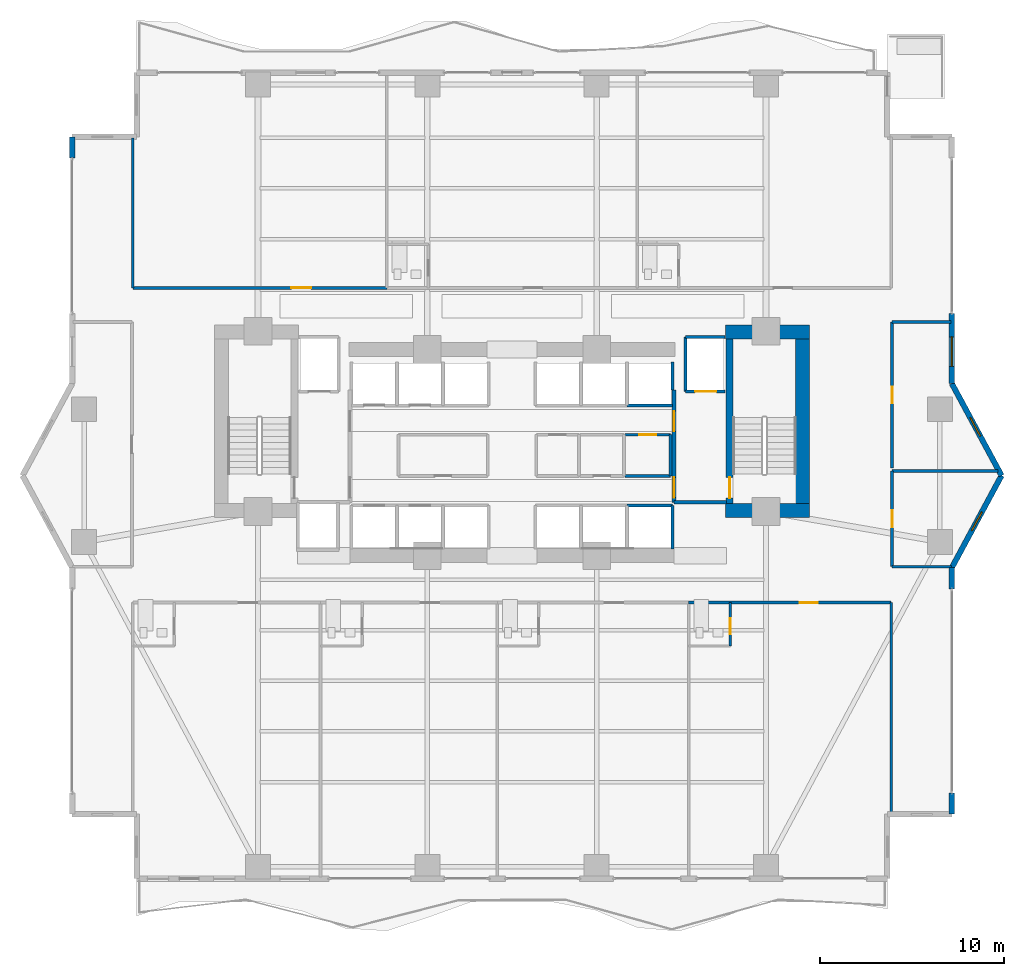
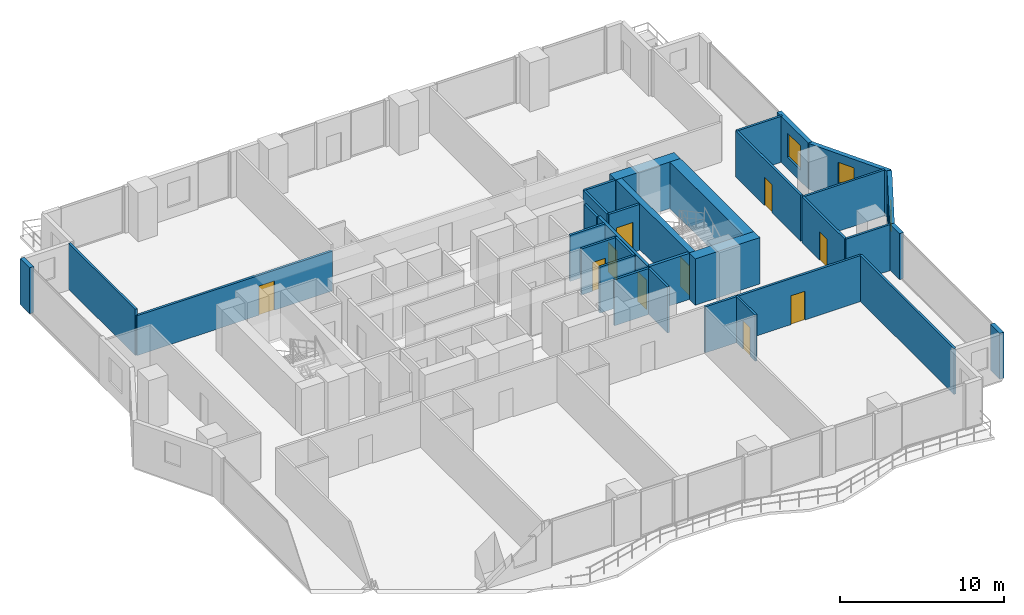
# One storey, part 23 of 28: 32 walls, 10 doors, 3 windows, 13 openings.
"""IFC4 building model written with IfcOpenShell, lengths in metres."""

from ifc_helpers import new_model, si_unit, direction, frame, frame_2d, origin, place, context, subcontext, project, spatial, rectangle, extrude, material, layer, layer_set, type_object, element, fill, save


model = new_model("IFC4")

# Units and contexts
model_context = context("Model", 3, precision=1e-05, world=origin(), true_north=direction((0.0, 1.0)))
body_context = subcontext(model_context, "Body", "Model", "MODEL_VIEW")
ifc_project = project(units=[si_unit("LENGTHUNIT", "METRE"), si_unit("AREAUNIT", "SQUARE_METRE"), si_unit("VOLUMEUNIT", "CUBIC_METRE"), si_unit("PLANEANGLEUNIT", "RADIAN"), si_unit("MASSUNIT", "GRAM", prefix="KILO")], contexts=[model_context])

# Site, building, storey
site_placement = place(None, origin())
site = spatial("IfcSite", under=ifc_project, at=site_placement, CompositionType="ELEMENT")
building_placement = place(site_placement, origin())
building = spatial("IfcBuilding", under=site, at=building_placement, Name="Zuhayl Quay Hotel", CompositionType="ELEMENT")
storey_placement = place(building_placement, frame((0.0, 0.0, 143.10009765625)))
storey = spatial("IfcBuildingStorey", under=building, at=storey_placement, Name="L36", CompositionType="ELEMENT", Elevation=143.10009765625)

# Walls
ifc_material_1 = material(Name="Concrete C60/75", Category="concrete")
ifc_layer_1 = layer(ifc_material_1, 0.75, Name="Concrete C60/75", Category="concrete")
ifc_layer_set_1 = layer_set([ifc_layer_1], Name="Concrete C60/75")
wall_type_1 = type_object("IfcWallType", Name="WL_CORE_750", PredefinedType="SHEAR", material=ifc_layer_set_1)
wall_1_placement = place(storey_placement, frame((11.60009765625, 14.304931640625, 0.0), z_axis=(0.0, 0.0, 1.0), x_axis=(1.0, 0.0, 0.0)))
element("IfcWall", 1, at=wall_1_placement, inside=storey, type_object=wall_type_1, Name="L36 Core Shear Wall CW_NE", PredefinedType="SHEAR", context=body_context, shape_type="SweptSolid", body=[
    extrude(rectangle(XDim=4.559814453125, YDim=0.75, at=frame_2d((2.27978515625, 0.0))), origin(), (0.0, 0.0, 1.0), 3.4599609375),
])
wall_2_placement = place(storey_placement, frame((15.784912109375, 4.969970703125, 0.0), z_axis=(0.0, 0.0, 1.0), x_axis=(0.0, 1.0, 0.0)))
element("IfcWall", 2, at=wall_2_placement, inside=storey, type_object=wall_type_1, Name="L36 Core Shear Wall CW_E", PredefinedType="SHEAR", context=body_context, shape_type="SweptSolid", body=[
    extrude(rectangle(XDim=8.9599609375, YDim=0.75, at=frame_2d((4.47998046875, 0.0))), origin(), (0.0, 0.0, 1.0), 3.4599609375),
])
wall_3_placement = place(storey_placement, frame((11.60009765625, 4.594970703125, 0.0), z_axis=(0.0, 0.0, 1.0), x_axis=(1.0, 0.0, 0.0)))
element("IfcWall", 3, at=wall_3_placement, inside=storey, type_object=wall_type_1, Name="L36 Core Shear Wall CW_SE", PredefinedType="SHEAR", context=body_context, shape_type="SweptSolid", body=[
    extrude(rectangle(XDim=4.559814453125, YDim=0.75, at=frame_2d((2.27978515625, 0.0))), origin(), (0.0, 0.0, 1.0), 3.4599609375),
])
ifc_material_2 = material(Name="Precast concrete C45/55", Category="concrete")
ifc_layer_2 = layer(ifc_material_2, 0.300048828125, Name="Precast concrete C45/55", Category="concrete")
ifc_layer_set_2 = layer_set([ifc_layer_2], Name="Precast concrete C45/55")
wall_type_2 = type_object("IfcWallType", Name="WL_EXT_300", PredefinedType="STANDARD", material=ifc_layer_set_2)
wall_4_placement = place(storey_placement, frame((-23.89990234375, 23.75, 0.0), z_axis=(0.0, 0.0, 1.0), x_axis=(0.0, 1.0, 0.0)))
element("IfcWall", 4, at=wall_4_placement, inside=storey, type_object=wall_type_2, Name="L36 Exterior Precast Wall ENV_L36_E05_EW2", PredefinedType="STANDARD", context=body_context, shape_type="SweptSolid", body=[
    extrude(rectangle(XDim=1.14990234375, YDim=0.300048828125, at=frame_2d((0.574951171875, 0.0))), origin(), (0.0, 0.0, 1.0), 3.429931640625),
])

# Wall, opening, window
wall_5_placement = place(storey_placement, frame((23.89990234375, 15.300048828125, 0.0), z_axis=(0.0, 0.0, 1.0), x_axis=(0.0, -1.0, 0.0)))
wall_5 = element("IfcWall", 5, at=wall_5_placement, inside=storey, type_object=wall_type_2, Name="L36 Exterior Precast Wall ENV_L36_E11_EW2", PredefinedType="STANDARD", context=body_context, shape_type="SweptSolid", body=[
    extrude(rectangle(XDim=3.800048828125, YDim=0.300048828125, at=frame_2d((1.89990234375, 0.0))), origin(), (0.0, 0.0, 1.0), 3.429931640625),
])
opening_1_placement = place(wall_5_placement, frame((1.264892578125, 0.0, 0.85009765625)))
opening_1 = element("IfcOpeningElement", 6, at=opening_1_placement, cuts=wall_5, Name="Opening W01", PredefinedType="OPENING", context=body_context, shape_type="SweptSolid", body=[
    extrude(rectangle(XDim=1.60009765625, YDim=1.800048828125, at=frame_2d((0.800048828125, 0.89990234375))), frame((0.0, 0.159912109375, 0.0), z_axis=(0.0, -1.0, 0.0), x_axis=(1.0, 0.0, 0.0)), (0.0, 0.0, 1.0), 0.320068359375),
])
ifc_material_3 = material(Name="Dark Ceramic-Fritted Solar Glass", Category="glass")
window_type_1 = type_object("IfcWindowType", Name="WN_OPERABLE_1600", PartitioningType="DOUBLE_PANEL_VERTICAL", PredefinedType="WINDOW", material=ifc_material_3)
window_1_placement = place(opening_1_placement, origin())
window_1 = element("IfcWindow", 7, at=window_1_placement, inside=storey, type_object=window_type_1, Name="L36 Operable Facade Window 2-1", OverallHeight=1.800048828125, OverallWidth=1.60009765625, PartitioningType="SINGLE_PANEL", PredefinedType="WINDOW", context=body_context, shape_type="SweptSolid", body=[
    extrude(rectangle(XDim=1.60009765625, YDim=1.800048828125, at=frame_2d((0.800048828125, 0.89990234375))), frame((0.0, 0.030029296875, 0.0), z_axis=(0.0, -1.0, 0.0), x_axis=(1.0, 0.0, 0.0)), (0.0, 0.0, 1.0), 0.06005859375),
])
fill(opening_1, window_1)

wall_6_placement = place(storey_placement, frame((23.89990234375, 11.5, 0.0), z_axis=(0.0, 0.0, 1.0), x_axis=(0.475175525499, -0.879891027325, 0.0)))
wall_6 = element("IfcWall", 8, at=wall_6_placement, inside=storey, type_object=wall_type_2, Name="L36 Exterior Precast Wall ENV_L36_EW12", PredefinedType="STANDARD", context=body_context, shape_type="SweptSolid", body=[
    extrude(rectangle(XDim=5.6826171875, YDim=0.300048828125, at=frame_2d((2.84130859375, 0.0))), origin(), (0.0, 0.0, 1.0), 3.429931640625),
])
opening_2_placement = place(wall_6_placement, frame((2.099853515625, 0.0, 1.25)))
opening_2 = element("IfcOpeningElement", 9, at=opening_2_placement, cuts=wall_6, Name="Opening W01N", PredefinedType="OPENING", context=body_context, shape_type="SweptSolid", body=[
    extrude(rectangle(XDim=1.14990234375, YDim=1.550048828125, at=frame_2d((0.574951171875, 0.77490234375))), frame((0.0, 0.159912109375, 0.0), z_axis=(0.0, -1.0, 0.0), x_axis=(1.0, 0.0, 0.0)), (0.0, 0.0, 1.0), 0.320068359375),
])
window_type_2 = type_object("IfcWindowType", Name="WN_NOTCH_1350", PartitioningType="SINGLE_PANEL", PredefinedType="WINDOW", material=ifc_material_3)
window_2_placement = place(opening_2_placement, origin())
window_2 = element("IfcWindow", 10, at=window_2_placement, inside=storey, type_object=window_type_2, Name="L36 Corner Notch Window 12", OverallHeight=1.550048828125, OverallWidth=1.14990234375, PartitioningType="SINGLE_PANEL", PredefinedType="WINDOW", context=body_context, shape_type="SweptSolid", body=[
    extrude(rectangle(XDim=1.14990234375, YDim=1.550048828125, at=frame_2d((0.574951171875, 0.77490234375))), frame((0.0, 0.030029296875, 0.0), z_axis=(0.0, -1.0, 0.0), x_axis=(1.0, 0.0, 0.0)), (0.0, 0.0, 1.0), 0.06005859375),
])
fill(opening_2, window_2)

wall_7_placement = place(storey_placement, frame((26.60009765625, 6.5, 0.0), z_axis=(0.0, 0.0, 1.0), x_axis=(-0.475175525499, -0.879891027325, 0.0)))
wall_7 = element("IfcWall", 11, at=wall_7_placement, inside=storey, type_object=wall_type_2, Name="L36 Exterior Precast Wall ENV_L36_EW13", PredefinedType="STANDARD", context=body_context, shape_type="SweptSolid", body=[
    extrude(rectangle(XDim=5.6826171875, YDim=0.300048828125, at=frame_2d((2.84130859375, 0.0))), origin(), (0.0, 0.0, 1.0), 3.429931640625),
])
opening_3_placement = place(wall_7_placement, frame((2.2421875, 0.0, 1.25)))
opening_3 = element("IfcOpeningElement", 12, at=opening_3_placement, cuts=wall_7, Name="Opening W01N", PredefinedType="OPENING", context=body_context, shape_type="SweptSolid", body=[
    extrude(rectangle(XDim=1.14990234375, YDim=1.550048828125, at=frame_2d((0.574951171875, 0.77490234375))), frame((0.0, 0.159912109375, 0.0), z_axis=(0.0, -1.0, 0.0), x_axis=(1.0, 0.0, 0.0)), (0.0, 0.0, 1.0), 0.320068359375),
])
window_3_placement = place(opening_3_placement, origin())
window_3 = element("IfcWindow", 13, at=window_3_placement, inside=storey, type_object=window_type_2, Name="L36 Corner Notch Window 13", OverallHeight=1.550048828125, OverallWidth=1.14990234375, PartitioningType="SINGLE_PANEL", PredefinedType="WINDOW", context=body_context, shape_type="SweptSolid", body=[
    extrude(rectangle(XDim=1.14990234375, YDim=1.550048828125, at=frame_2d((0.574951171875, 0.77490234375))), frame((0.0, 0.030029296875, 0.0), z_axis=(0.0, -1.0, 0.0), x_axis=(1.0, 0.0, 0.0)), (0.0, 0.0, 1.0), 0.06005859375),
])
fill(opening_3, window_3)

# Walls
for number, where, z_axis, x_axis, name in (
    (14, (23.89990234375, 1.5, 0.0), (0.0, 0.0, 1.0), (0.0, -1.0, 0.0), "L36 Exterior Precast Wall ENV_L36_E14_EW1"),
    (15, (23.89990234375, -10.75, 0.0), (0.0, 0.0, 1.0), (0.0, -1.0, 0.0), "L36 Exterior Precast Wall ENV_L36_E14_EW2"),
):
    element("IfcWall", number, at=place(storey_placement, frame(where, z_axis=z_axis, x_axis=x_axis)), inside=storey, type_object=wall_type_2, Name=name, PredefinedType="STANDARD", context=body_context, shape_type="SweptSolid", body=[
        extrude(rectangle(XDim=1.14990234375, YDim=0.300048828125, at=frame_2d((0.574951171875, 0.0))), origin(), (0.0, 0.0, 1.0), 3.429931640625),
    ])

# Wall, opening, door
ifc_material_4 = material(Name="Acoustic Gypsum Partition STC-58")
ifc_layer_3 = layer(ifc_material_4, 0.14990234375, Name="Acoustic Gypsum Partition STC-58")
ifc_layer_set_3 = layer_set([ifc_layer_3], Name="Acoustic Gypsum Partition STC-58")
wall_type_3 = type_object("IfcWallType", Name="WL_PART_150", PredefinedType="PARTITIONING", material=ifc_layer_set_3)
wall_8_placement = place(storey_placement, frame((6.139892578125, 8.719970703125, 0.0), z_axis=(0.0, 0.0, 1.0), x_axis=(1.0, 0.0, 0.0)))
wall_8 = element("IfcWall", 16, at=wall_8_placement, inside=storey, type_object=wall_type_3, Name="L36 Partition IW_L36_CORE_E3_N", PredefinedType="PARTITIONING", context=body_context, shape_type="SweptSolid", body=[
    extrude(rectangle(XDim=2.47021484375, YDim=0.14990234375, at=frame_2d((1.235107421875, 0.0))), origin(), (0.0, 0.0, 1.0), 3.429931640625),
])
opening_4_placement = place(wall_8_placement, frame((0.784912109375, 0.0, 0.0)))
opening_4 = element("IfcOpeningElement", 17, at=opening_4_placement, cuts=wall_8, Name="Opening D06", PredefinedType="OPENING", context=body_context, shape_type="SweptSolid", body=[
    extrude(rectangle(XDim=0.89990234375, YDim=2.14990234375, at=frame_2d((0.449951171875, 1.074951171875))), frame((0.0, 0.0849609375, 0.0), z_axis=(0.0, -1.0, 0.0), x_axis=(1.0, 0.0, 0.0)), (0.0, 0.0, 1.0), 0.169921875),
])
ifc_material_5 = material(Name="Steel ASTM A992 Grade 50", Category="steel")
door_type_1 = type_object("IfcDoorType", Name="DR_INT_900", OperationType="NOTDEFINED", PredefinedType="DOOR", material=ifc_material_5)
door_1_placement = place(opening_4_placement, origin())
door_1 = element("IfcDoor", 18, at=door_1_placement, inside=storey, type_object=door_type_1, Name="L36 Janitor and Cleaners Store Door", OperationType="SINGLE_SWING_RIGHT", OverallHeight=2.14990234375, OverallWidth=0.89990234375, PredefinedType="DOOR", context=body_context, shape_type="SweptSolid", body=[
    extrude(rectangle(XDim=0.89990234375, YDim=2.14990234375, at=frame_2d((0.449951171875, 1.074951171875))), frame((0.0, 0.02490234375, 0.0), z_axis=(0.0, -1.0, 0.0), x_axis=(1.0, 0.0, 0.0)), (0.0, 0.0, 1.0), 0.050048828125),
])
fill(opening_4, door_1)

# Walls
wall_9_placement = place(storey_placement, frame((6.139892578125, 6.47998046875, 0.0), z_axis=(0.0, 0.0, 1.0), x_axis=(1.0, 0.0, 0.0)))
element("IfcWall", 19, at=wall_9_placement, inside=storey, type_object=wall_type_3, Name="L36 Partition IW_L36_CORE_E3_S", PredefinedType="PARTITIONING", context=body_context, shape_type="SweptSolid", body=[
    extrude(rectangle(XDim=2.47021484375, YDim=0.14990234375, at=frame_2d((1.235107421875, 0.0))), origin(), (0.0, 0.0, 1.0), 3.429931640625),
])
wall_10_placement = place(storey_placement, frame((8.610107421875, 6.47998046875, 0.0), z_axis=(0.0, 0.0, 1.0), x_axis=(0.0, 1.0, 0.0)))
element("IfcWall", 20, at=wall_10_placement, inside=storey, type_object=wall_type_3, Name="L36 Partition IW_L36_CORE_E3_E", PredefinedType="PARTITIONING", context=body_context, shape_type="SweptSolid", body=[
    extrude(rectangle(XDim=2.239990234375, YDim=0.14990234375, at=frame_2d((1.1201171875, 0.0))), origin(), (0.0, 0.0, 1.0), 3.429931640625),
])
wall_11_placement = place(storey_placement, frame((-20.60009765625, 16.699951171875, 0.0), z_axis=(0.0, 0.0, 1.0), x_axis=(0.0, 1.0, 0.0)))
element("IfcWall", 21, at=wall_11_placement, inside=storey, type_object=wall_type_3, Name="L36 Partition IW_L36_NSAL_0_W", PredefinedType="PARTITIONING", context=body_context, shape_type="SweptSolid", body=[
    extrude(rectangle(XDim=8.14013671875, YDim=0.14990234375, at=frame_2d((4.070068359375, 0.0))), origin(), (0.0, 0.0, 1.0), 3.429931640625),
])
wall_12_placement = place(storey_placement, frame((20.60009765625, -11.89990234375, 0.0), z_axis=(0.0, 0.0, 1.0), x_axis=(0.0, 1.0, 0.0)))
element("IfcWall", 22, at=wall_12_placement, inside=storey, type_object=wall_type_3, Name="L36 Partition IW_L36_SU04_E", PredefinedType="PARTITIONING", context=body_context, shape_type="SweptSolid", body=[
    extrude(rectangle(XDim=11.5, YDim=0.14990234375, at=frame_2d((5.75, 0.0))), origin(), (0.0, 0.0, 1.0), 3.429931640625),
])
wall_13_placement = place(storey_placement, frame((20.64990234375, 1.550048828125, 0.0), z_axis=(0.0, 0.0, 1.0), x_axis=(1.0, 0.0, 0.0)))
element("IfcWall", 23, at=wall_13_placement, inside=storey, type_object=wall_type_3, Name="L36 Partition IW_L36_HK_MAIN_S", PredefinedType="PARTITIONING", context=body_context, shape_type="SweptSolid", body=[
    extrude(rectangle(XDim=3.217041015625, YDim=0.14990234375, at=frame_2d((1.6083984375, 0.0))), origin(), (0.0, 0.0, 1.0), 3.429931640625),
])
wall_14_placement = place(storey_placement, frame((20.64990234375, 6.75, 0.0), z_axis=(0.0, 0.0, 1.0), x_axis=(1.0, 0.0, 0.0)))
element("IfcWall", 24, at=wall_14_placement, inside=storey, type_object=wall_type_3, Name="L36 Partition IW_L36_HK_MAIN_N", PredefinedType="PARTITIONING", context=body_context, shape_type="SweptSolid", body=[
    extrude(rectangle(XDim=5.755126953125, YDim=0.14990234375, at=frame_2d((2.87744140625, 0.0))), origin(), (0.0, 0.0, 1.0), 3.429931640625),
])
wall_15_placement = place(storey_placement, frame((20.64990234375, 14.85009765625, 0.0), z_axis=(0.0, 0.0, 1.0), x_axis=(1.0, 0.0, 0.0)))
element("IfcWall", 25, at=wall_15_placement, inside=storey, type_object=wall_type_3, Name="L36 Partition IW_L36_EFLK_2_N", PredefinedType="PARTITIONING", context=body_context, shape_type="SweptSolid", body=[
    extrude(rectangle(XDim=3.190185546875, YDim=0.14990234375, at=frame_2d((1.59521484375, 0.0))), origin(), (0.0, 0.0, 1.0), 3.429931640625),
])

# Wall, opening, door
ifc_layer_4 = layer(ifc_material_4, 0.159912109375, Name="Acoustic Gypsum Partition STC-58")
ifc_layer_set_4 = layer_set([ifc_layer_4], Name="Acoustic Gypsum Partition STC-58")
wall_type_4 = type_object("IfcWallType", Name="WL_PART_CORR_160", PredefinedType="PARTITIONING", material=ifc_layer_set_4)
wall_16_placement = place(storey_placement, frame((-20.60009765625, 16.699951171875, 0.0), z_axis=(0.0, 0.0, 1.0), x_axis=(1.0, 0.0, 0.0)))
wall_16 = element("IfcWall", 26, at=wall_16_placement, inside=storey, type_object=wall_type_4, Name="L36 Partition IW_L36_NSAL_0_S", PredefinedType="PARTITIONING", context=body_context, shape_type="SweptSolid", body=[
    extrude(rectangle(XDim=13.800048828125, YDim=0.159912109375, at=frame_2d((6.89990234375, 0.0))), origin(), (0.0, 0.0, 1.0), 2.972900390625),
])
opening_5_placement = place(wall_16_placement, frame((8.610107421875, 0.0, 0.0)))
opening_5 = element("IfcOpeningElement", 27, at=opening_5_placement, cuts=wall_16, Name="Opening D05A", PredefinedType="OPENING", context=body_context, shape_type="SweptSolid", body=[
    extrude(rectangle(XDim=1.080078125, YDim=2.179931640625, at=frame_2d((0.5400390625, 1.08984375))), frame((0.0, 0.08984375, 0.0), z_axis=(0.0, -1.0, 0.0), x_axis=(1.0, 0.0, 0.0)), (0.0, 0.0, 1.0), 0.179931640625),
])
ifc_material_6 = material(Name="Solid Walnut Acoustic Fire Door")
door_type_2 = type_object("IfcDoorType", Name="DR_INT_1100", OperationType="NOTDEFINED", PredefinedType="DOOR", material=ifc_material_6)
door_2_placement = place(opening_5_placement, origin())
door_2 = element("IfcDoor", 28, at=door_2_placement, inside=storey, type_object=door_type_2, Name="L36 Majlis Reception Lounge Door", OperationType="SINGLE_SWING_LEFT", OverallHeight=2.179931640625, OverallWidth=1.080078125, PredefinedType="DOOR", context=body_context, shape_type="SweptSolid", body=[
    extrude(rectangle(XDim=1.080078125, YDim=2.179931640625, at=frame_2d((0.5400390625, 1.08984375))), frame((0.0, 0.02490234375, 0.0), z_axis=(0.0, -1.0, 0.0), x_axis=(1.0, 0.0, 0.0)), (0.0, 0.0, 1.0), 0.050048828125),
])
fill(opening_5, door_2)

wall_17_placement = place(storey_placement, frame((9.60009765625, -0.39990234375, 0.0), z_axis=(0.0, 0.0, 1.0), x_axis=(1.0, 0.0, 0.0)))
wall_17 = element("IfcWall", 29, at=wall_17_placement, inside=storey, type_object=wall_type_4, Name="L36 Partition IW_L36_SU04_COR", PredefinedType="PARTITIONING", context=body_context, shape_type="SweptSolid", body=[
    extrude(rectangle(XDim=11.0, YDim=0.159912109375, at=frame_2d((5.5, 0.0))), origin(), (0.0, 0.0, 1.0), 3.429931640625),
])
opening_6_placement = place(wall_17_placement, frame((6.02490234375, 0.0, 0.0)))
opening_6 = element("IfcOpeningElement", 30, at=opening_6_placement, cuts=wall_17, Name="Opening D03L", PredefinedType="OPENING", context=body_context, shape_type="SweptSolid", body=[
    extrude(rectangle(XDim=1.0, YDim=2.14990234375, at=frame_2d((0.5, 1.074951171875))), frame((0.0, 0.08984375, 0.0), z_axis=(0.0, -1.0, 0.0), x_axis=(1.0, 0.0, 0.0)), (0.0, 0.0, 1.0), 0.179931640625),
])
door_type_3 = type_object("IfcDoorType", Name="DR_SUITE_1000", OperationType="NOTDEFINED", PredefinedType="DOOR", material=ifc_material_6)
door_3_placement = place(opening_6_placement, origin())
door_3 = element("IfcDoor", 31, at=door_3_placement, inside=storey, type_object=door_type_3, Name="L36 City-View Junior Suite L36-04 Entrance Door", OperationType="SINGLE_SWING_LEFT", OverallHeight=2.14990234375, OverallWidth=1.0, PredefinedType="DOOR", context=body_context, shape_type="SweptSolid", body=[
    extrude(rectangle(XDim=1.0, YDim=2.14990234375, at=frame_2d((0.5, 1.074951171875))), frame((0.0, 0.02490234375, 0.0), z_axis=(0.0, -1.0, 0.0), x_axis=(1.0, 0.0, 0.0)), (0.0, 0.0, 1.0), 0.050048828125),
])
fill(opening_6, door_3)

wall_18_placement = place(storey_placement, frame((20.64990234375, 1.550048828125, 0.0), z_axis=(0.0, 0.0, 1.0), x_axis=(0.0, 1.0, 0.0)))
wall_18 = element("IfcWall", 32, at=wall_18_placement, inside=storey, type_object=wall_type_4, Name="L36 Partition IW_L36_HK_MAIN_W", PredefinedType="PARTITIONING", context=body_context, shape_type="SweptSolid", body=[
    extrude(rectangle(XDim=5.199951171875, YDim=0.159912109375, at=frame_2d((2.60009765625, 0.0))), origin(), (0.0, 0.0, 1.0), 3.429931640625),
])
opening_7_placement = place(wall_18_placement, frame((2.139892578125, 0.0, 0.0)))
opening_7 = element("IfcOpeningElement", 33, at=opening_7_placement, cuts=wall_18, Name="Opening D05", PredefinedType="OPENING", context=body_context, shape_type="SweptSolid", body=[
    extrude(rectangle(XDim=0.919921875, YDim=2.1201171875, at=frame_2d((0.4599609375, 1.06005859375))), frame((0.0, 0.08984375, 0.0), z_axis=(0.0, -1.0, 0.0), x_axis=(1.0, 0.0, 0.0)), (0.0, 0.0, 1.0), 0.179931640625),
])
door_type_4 = type_object("IfcDoorType", Name="DR_INT_950", OperationType="NOTDEFINED", PredefinedType="DOOR", material=ifc_material_6)
door_4_placement = place(opening_7_placement, origin())
door_4 = element("IfcDoor", 34, at=door_4_placement, inside=storey, type_object=door_type_4, Name="L36 Housekeeping and Linen Room Door", OperationType="SINGLE_SWING_RIGHT", OverallHeight=2.1201171875, OverallWidth=0.919921875, PredefinedType="DOOR", context=body_context, shape_type="SweptSolid", body=[
    extrude(rectangle(XDim=0.919921875, YDim=2.1201171875, at=frame_2d((0.4599609375, 1.06005859375))), frame((0.0, 0.02490234375, 0.0), z_axis=(0.0, -1.0, 0.0), x_axis=(1.0, 0.0, 0.0)), (0.0, 0.0, 1.0), 0.050048828125),
])
fill(opening_7, door_4)

wall_19_placement = place(storey_placement, frame((20.64990234375, 6.909912109375, 0.0), z_axis=(0.0, 0.0, 1.0), x_axis=(0.0, 1.0, 0.0)))
wall_19 = element("IfcWall", 35, at=wall_19_placement, inside=storey, type_object=wall_type_4, Name="L36 Partition IW_L36_EFLK_2_W", PredefinedType="PARTITIONING", context=body_context, shape_type="SweptSolid", body=[
    extrude(rectangle(XDim=7.940185546875, YDim=0.159912109375, at=frame_2d((3.97021484375, 0.0))), origin(), (0.0, 0.0, 1.0), 3.429931640625),
])
opening_8_placement = place(wall_19_placement, frame((3.510009765625, 0.0, 0.0)))
opening_8 = element("IfcOpeningElement", 36, at=opening_8_placement, cuts=wall_19, Name="Opening D05", PredefinedType="OPENING", context=body_context, shape_type="SweptSolid", body=[
    extrude(rectangle(XDim=0.919921875, YDim=2.1201171875, at=frame_2d((0.4599609375, 1.06005859375))), frame((0.0, 0.08984375, 0.0), z_axis=(0.0, -1.0, 0.0), x_axis=(1.0, 0.0, 0.0)), (0.0, 0.0, 1.0), 0.179931640625),
])
door_5_placement = place(opening_8_placement, origin())
door_5 = element("IfcDoor", 37, at=door_5_placement, inside=storey, type_object=door_type_4, Name="L36 East Prow Reading Lounge L36 Door", OperationType="SINGLE_SWING_LEFT", OverallHeight=2.1201171875, OverallWidth=0.919921875, PredefinedType="DOOR", context=body_context, shape_type="SweptSolid", body=[
    extrude(rectangle(XDim=0.919921875, YDim=2.1201171875, at=frame_2d((0.4599609375, 1.06005859375))), frame((0.0, 0.02490234375, 0.0), z_axis=(0.0, -1.0, 0.0), x_axis=(1.0, 0.0, 0.0)), (0.0, 0.0, 1.0), 0.050048828125),
])
fill(opening_8, door_5)

ifc_material_7 = material(Name="Moisture-Resistant Sanitarychase Gypsum")
ifc_layer_5 = layer(ifc_material_7, 0.135009765625, Name="Moisture-Resistant Sanitarychase Gypsum")
ifc_layer_set_5 = layer_set([ifc_layer_5], Name="Moisture-Resistant Sanitarychase Gypsum")
wall_type_5 = type_object("IfcWallType", Name="WL_PART_PLUMB_150", PredefinedType="PLUMBINGWALL", material=ifc_layer_set_5)
wall_20_placement = place(storey_placement, frame((11.860107421875, -2.760009765625, 0.0), z_axis=(0.0, 0.0, 1.0), x_axis=(0.0, 1.0, 0.0)))
wall_20 = element("IfcWall", 38, at=wall_20_placement, inside=storey, type_object=wall_type_5, Name="L36 Partition IW_L36_SU04_BE", PredefinedType="PLUMBINGWALL", context=body_context, shape_type="SweptSolid", body=[
    extrude(rectangle(XDim=2.360107421875, YDim=0.135009765625, at=frame_2d((1.18017578125, 0.0))), origin(), (0.0, 0.0, 1.0), 3.429931640625),
])
opening_9_placement = place(wall_20_placement, frame((0.64990234375, 0.0, 0.0)))
opening_9 = element("IfcOpeningElement", 39, at=opening_9_placement, cuts=wall_20, Name="Opening D04", PredefinedType="OPENING", context=body_context, shape_type="SweptSolid", body=[
    extrude(rectangle(XDim=0.85009765625, YDim=2.10009765625, at=frame_2d((0.425048828125, 1.050048828125))), frame((0.0, 0.077392578125, 0.0), z_axis=(0.0, -1.0, 0.0), x_axis=(1.0, 0.0, 0.0)), (0.0, 0.0, 1.0), 0.155029296875),
])
ifc_material_8 = material(Name="Moisture-Resistant Walnut Veneer")
door_type_5 = type_object("IfcDoorType", Name="DR_BATH_850", OperationType="NOTDEFINED", PredefinedType="DOOR", material=ifc_material_8)
door_6_placement = place(opening_9_placement, origin())
door_6 = element("IfcDoor", 40, at=door_6_placement, inside=storey, type_object=door_type_5, Name="L36 City-View Junior Suite L36-04 En-Suite Door", OperationType="SINGLE_SWING_RIGHT", OverallHeight=2.10009765625, OverallWidth=0.85009765625, PredefinedType="DOOR", context=body_context, shape_type="SweptSolid", body=[
    extrude(rectangle(XDim=0.85009765625, YDim=2.10009765625, at=frame_2d((0.425048828125, 1.050048828125))), frame((0.0, 0.02490234375, 0.0), z_axis=(0.0, -1.0, 0.0), x_axis=(1.0, 0.0, 0.0)), (0.0, 0.0, 1.0), 0.050048828125),
])
fill(opening_9, door_6)

ifc_material_9 = material(Name="Gypsum Fireboard Assembly EI-90")
ifc_layer_6 = layer(ifc_material_9, 0.1650390625, Name="Gypsum Fireboard Assembly EI-90")
ifc_layer_set_6 = layer_set([ifc_layer_6], Name="Gypsum Fireboard Assembly EI-90")
wall_type_6 = type_object("IfcWallType", Name="WL_PART_SHAFT_160", PredefinedType="PARTITIONING", material=ifc_layer_set_6)
wall_21_placement = place(storey_placement, frame((9.419921875, 11.070068359375, 0.0), z_axis=(0.0, 0.0, 1.0), x_axis=(1.0, 0.0, 0.0)))
wall_21 = element("IfcWall", 41, at=wall_21_placement, inside=storey, type_object=wall_type_6, Name="L36 Partition IW_L36_SH_FL2_F", PredefinedType="PARTITIONING", context=body_context, shape_type="SweptSolid", body=[
    extrude(rectangle(XDim=2.16015625, YDim=0.1650390625, at=frame_2d((1.080078125, 0.0))), origin(), (0.0, 0.0, 1.0), 3.429931640625),
])
opening_10_placement = place(wall_21_placement, frame((0.530029296875, 0.0, 0.0)))
opening_10 = element("IfcOpeningElement", 42, at=opening_10_placement, cuts=wall_21, Name="Opening LD2", PredefinedType="OPENING", context=body_context, shape_type="SweptSolid", body=[
    extrude(rectangle(XDim=1.14990234375, YDim=2.25, at=frame_2d((0.574951171875, 1.125))), frame((0.0, 0.092529296875, 0.0), z_axis=(0.0, -1.0, 0.0), x_axis=(1.0, 0.0, 0.0)), (0.0, 0.0, 1.0), 0.18505859375),
])
ifc_material_10 = material(Name="Brushed Stainless Steel", Category="steel")
door_type_6 = type_object("IfcDoorType", Name="DR_LIFT_FF_1100", OperationType="SLIDING_TO_LEFT", PredefinedType="DOOR", material=ifc_material_10)
door_7_placement = place(opening_10_placement, origin())
door_7 = element("IfcDoor", 43, at=door_7_placement, inside=storey, type_object=door_type_6, Name="L36 Lift FL2 Sliding Landing Door", OperationType="SLIDING_TO_LEFT", OverallHeight=2.25, OverallWidth=1.14990234375, PredefinedType="DOOR", context=body_context, shape_type="SweptSolid", body=[
    extrude(rectangle(XDim=1.14990234375, YDim=2.25, at=frame_2d((0.574951171875, 1.125))), frame((0.0, 0.02490234375, 0.0), z_axis=(0.0, -1.0, 0.0), x_axis=(1.0, 0.0, 0.0)), (0.0, 0.0, 1.0), 0.050048828125),
])
fill(opening_10, door_7)

# Walls
wall_22_placement = place(storey_placement, frame((9.419921875, 11.070068359375, 0.0), z_axis=(0.0, 0.0, 1.0), x_axis=(0.0, 1.0, 0.0)))
element("IfcWall", 44, at=wall_22_placement, inside=storey, type_object=wall_type_6, Name="L36 Partition IW_L36_SH_FL2_W", PredefinedType="PARTITIONING", context=body_context, shape_type="SweptSolid", body=[
    extrude(rectangle(XDim=2.9599609375, YDim=0.1650390625, at=frame_2d((1.47998046875, 0.0))), origin(), (0.0, 0.0, 1.0), 3.429931640625),
])
wall_23_placement = place(storey_placement, frame((9.419921875, 14.030029296875, 0.0), z_axis=(0.0, 0.0, 1.0), x_axis=(1.0, 0.0, 0.0)))
element("IfcWall", 45, at=wall_23_placement, inside=storey, type_object=wall_type_6, Name="L36 Partition IW_L36_SH_FL2_B", PredefinedType="PARTITIONING", context=body_context, shape_type="SweptSolid", body=[
    extrude(rectangle(XDim=2.16015625, YDim=0.1650390625, at=frame_2d((1.080078125, 0.0))), origin(), (0.0, 0.0, 1.0), 3.429931640625),
])
wall_24_placement = place(storey_placement, frame((6.25, 4.8798828125, 0.0), z_axis=(0.0, 0.0, 1.0), x_axis=(1.0, 0.0, 0.0)))
element("IfcWall", 46, at=wall_24_placement, inside=storey, type_object=wall_type_6, Name="L36 Partition IW_L36_SH_HP2_F", PredefinedType="PARTITIONING", context=body_context, shape_type="SweptSolid", body=[
    extrude(rectangle(XDim=2.47998046875, YDim=0.1650390625, at=frame_2d((1.239990234375, 0.0))), origin(), (0.0, 0.0, 1.0), 3.429931640625),
])
wall_25_placement = place(storey_placement, frame((8.72998046875, 2.52001953125, 0.0), z_axis=(0.0, 0.0, 1.0), x_axis=(0.0, 1.0, 0.0)))
element("IfcWall", 47, at=wall_25_placement, inside=storey, type_object=wall_type_6, Name="L36 Partition IW_L36_SH_HP2_E", PredefinedType="PARTITIONING", context=body_context, shape_type="SweptSolid", body=[
    extrude(rectangle(XDim=2.35986328125, YDim=0.1650390625, at=frame_2d((1.179931640625, 0.0))), origin(), (0.0, 0.0, 1.0), 3.429931640625),
])
wall_26_placement = place(storey_placement, frame((6.25, 10.320068359375, 0.0), z_axis=(0.0, 0.0, 1.0), x_axis=(1.0, 0.0, 0.0)))
element("IfcWall", 48, at=wall_26_placement, inside=storey, type_object=wall_type_6, Name="L36 Partition IW_L36_SH_HP4_F", PredefinedType="PARTITIONING", context=body_context, shape_type="SweptSolid", body=[
    extrude(rectangle(XDim=2.47998046875, YDim=0.1650390625, at=frame_2d((1.239990234375, 0.0))), origin(), (0.0, 0.0, 1.0), 3.429931640625),
])
wall_27_placement = place(storey_placement, frame((8.72998046875, 11.14990234375, 0.0), z_axis=(0.0, 0.0, 1.0), x_axis=(0.0, 1.0, 0.0)))
element("IfcWall", 49, at=wall_27_placement, inside=storey, type_object=wall_type_6, Name="L36 Partition IW_L36_SH_HP4_E", PredefinedType="PARTITIONING", context=body_context, shape_type="SweptSolid", body=[
    extrude(rectangle(XDim=1.530029296875, YDim=0.1650390625, at=frame_2d((0.76513671875, 0.0))), origin(), (0.0, 0.0, 1.0), 3.429931640625),
])

# Wall, openings, doors
ifc_material_11 = material(Name="Gypsum Fireboard Assembly EI-120")
ifc_layer_7 = layer(ifc_material_11, 0.199951171875, Name="Gypsum Fireboard Assembly EI-120")
ifc_layer_set_7 = layer_set([ifc_layer_7], Name="Gypsum Fireboard Assembly EI-120")
wall_type_7 = type_object("IfcWallType", Name="WL_PART_SHAFT_200", PredefinedType="PARTITIONING", material=ifc_layer_set_7)
wall_28_placement = place(storey_placement, frame((8.800048828125, 11.14990234375, 0.0), z_axis=(0.0, 0.0, 1.0), x_axis=(0.0, -1.0, 0.0)))
wall_28 = element("IfcWall", 50, at=wall_28_placement, inside=storey, type_object=wall_type_7, Name="L36 Partition IW_L36_FSAE_E_W", PredefinedType="PARTITIONING", context=body_context, shape_type="SweptSolid", body=[
    extrude(rectangle(XDim=6.099853515625, YDim=0.199951171875, at=frame_2d((3.0498046875, 0.0))), origin(), (0.0, 0.0, 1.0), 3.429931640625),
])
opening_11_placement = place(wall_28_placement, frame((1.14990234375, 0.0, 0.0)))
opening_11 = element("IfcOpeningElement", 51, at=opening_11_placement, cuts=wall_28, Name="Opening D02", PredefinedType="OPENING", context=body_context, shape_type="SweptSolid", body=[
    extrude(rectangle(XDim=1.10009765625, YDim=2.199951171875, at=frame_2d((0.550048828125, 1.10009765625))), frame((0.0, 0.10986328125, 0.0), z_axis=(0.0, -1.0, 0.0), x_axis=(1.0, 0.0, 0.0)), (0.0, 0.0, 1.0), 0.219970703125),
])
opening_12_placement = place(wall_28_placement, frame((4.75, 0.0, 0.0)))
opening_12 = element("IfcOpeningElement", 52, at=opening_12_placement, cuts=wall_28, Name="Opening D02", PredefinedType="OPENING", context=body_context, shape_type="SweptSolid", body=[
    extrude(rectangle(XDim=1.10009765625, YDim=2.199951171875, at=frame_2d((0.550048828125, 1.10009765625))), frame((0.0, 0.10986328125, 0.0), z_axis=(0.0, -1.0, 0.0), x_axis=(1.0, 0.0, 0.0)), (0.0, 0.0, 1.0), 0.219970703125),
])
door_type_7 = type_object("IfcDoorType", Name="DR_FIRE_90_1100", OperationType="NOTDEFINED", PredefinedType="DOOR", material=ifc_material_5)
door_8_placement = place(opening_11_placement, origin())
door_8 = element("IfcDoor", 53, at=door_8_placement, inside=storey, type_object=door_type_7, Name="L36 FSAE Lobby East North Entry Door", OperationType="SINGLE_SWING_LEFT", OverallHeight=2.199951171875, OverallWidth=1.10009765625, PredefinedType="DOOR", context=body_context, shape_type="SweptSolid", body=[
    extrude(rectangle(XDim=1.10009765625, YDim=2.199951171875, at=frame_2d((0.550048828125, 1.10009765625))), frame((0.0, 0.02490234375, 0.0), z_axis=(0.0, -1.0, 0.0), x_axis=(1.0, 0.0, 0.0)), (0.0, 0.0, 1.0), 0.050048828125),
])
fill(opening_11, door_8)
door_9_placement = place(opening_12_placement, origin())
door_9 = element("IfcDoor", 54, at=door_9_placement, inside=storey, type_object=door_type_7, Name="L36 FSAE Lobby East South Entry Door", OperationType="SINGLE_SWING_RIGHT", OverallHeight=2.199951171875, OverallWidth=1.10009765625, PredefinedType="DOOR", context=body_context, shape_type="SweptSolid", body=[
    extrude(rectangle(XDim=1.10009765625, YDim=2.199951171875, at=frame_2d((0.550048828125, 1.10009765625))), frame((0.0, 0.02490234375, 0.0), z_axis=(0.0, -1.0, 0.0), x_axis=(1.0, 0.0, 0.0)), (0.0, 0.0, 1.0), 0.050048828125),
])
fill(opening_12, door_9)

# Wall
wall_29_placement = place(storey_placement, frame((8.800048828125, 5.050048828125, 0.0), z_axis=(0.0, 0.0, 1.0), x_axis=(1.0, 0.0, 0.0)))
element("IfcWall", 55, at=wall_29_placement, inside=storey, type_object=wall_type_7, Name="L36 Partition IW_L36_FSAE_E_S", PredefinedType="PARTITIONING", context=body_context, shape_type="SweptSolid", body=[
    extrude(rectangle(XDim=2.849853515625, YDim=0.199951171875, at=frame_2d((1.4248046875, 0.0))), origin(), (0.0, 0.0, 1.0), 3.429931640625),
])

# Wall, opening, door
ifc_layer_8 = layer(ifc_material_1, 0.39990234375, Name="Concrete C60/75", Category="concrete")
ifc_layer_set_8 = layer_set([ifc_layer_8], Name="Concrete C60/75")
wall_type_8 = type_object("IfcWallType", Name="WL_STAIR_400", PredefinedType="SHEAR", material=ifc_layer_set_8)
wall_30_placement = place(storey_placement, frame((11.820068359375, 13.929931640625, 0.0), z_axis=(0.0, 0.0, 1.0), x_axis=(0.0, -1.0, 0.0)))
wall_30 = element("IfcWall", 56, at=wall_30_placement, inside=storey, type_object=wall_type_8, Name="L36 Core Shear Wall SW_ST2", PredefinedType="SHEAR", context=body_context, shape_type="SweptSolid", body=[
    extrude(rectangle(XDim=8.9599609375, YDim=0.39990234375, at=frame_2d((4.47998046875, 0.0))), origin(), (0.0, 0.0, 1.0), 3.4599609375),
])
opening_13_placement = place(wall_30_placement, frame((7.530029296875, 0.0, 0.0)))
opening_13 = element("IfcOpeningElement", 57, at=opening_13_placement, cuts=wall_30, Name="Opening D01", PredefinedType="OPENING", context=body_context, shape_type="SweptSolid", body=[
    extrude(rectangle(XDim=1.1201171875, YDim=2.219970703125, at=frame_2d((0.56005859375, 1.10986328125))), frame((0.0, 0.2099609375, 0.0), z_axis=(0.0, -1.0, 0.0), x_axis=(1.0, 0.0, 0.0)), (0.0, 0.0, 1.0), 0.419921875),
])
door_type_8 = type_object("IfcDoorType", Name="DR_STAIR_90_1100", OperationType="NOTDEFINED", PredefinedType="DOOR", material=ifc_material_5)
door_10_placement = place(opening_13_placement, origin())
door_10 = element("IfcDoor", 58, at=door_10_placement, inside=storey, type_object=door_type_8, Name="L36 Smokeproof Exit Stair ST2 Door", OperationType="SINGLE_SWING_RIGHT", OverallHeight=2.219970703125, OverallWidth=1.1201171875, PredefinedType="DOOR", context=body_context, shape_type="SweptSolid", body=[
    extrude(rectangle(XDim=1.1201171875, YDim=2.219970703125, at=frame_2d((0.56005859375, 1.10986328125))), frame((0.0, 0.02490234375, 0.0), z_axis=(0.0, -1.0, 0.0), x_axis=(1.0, 0.0, 0.0)), (0.0, 0.0, 1.0), 0.050048828125),
])
fill(opening_13, door_10)

save(model, "model.ifc")
